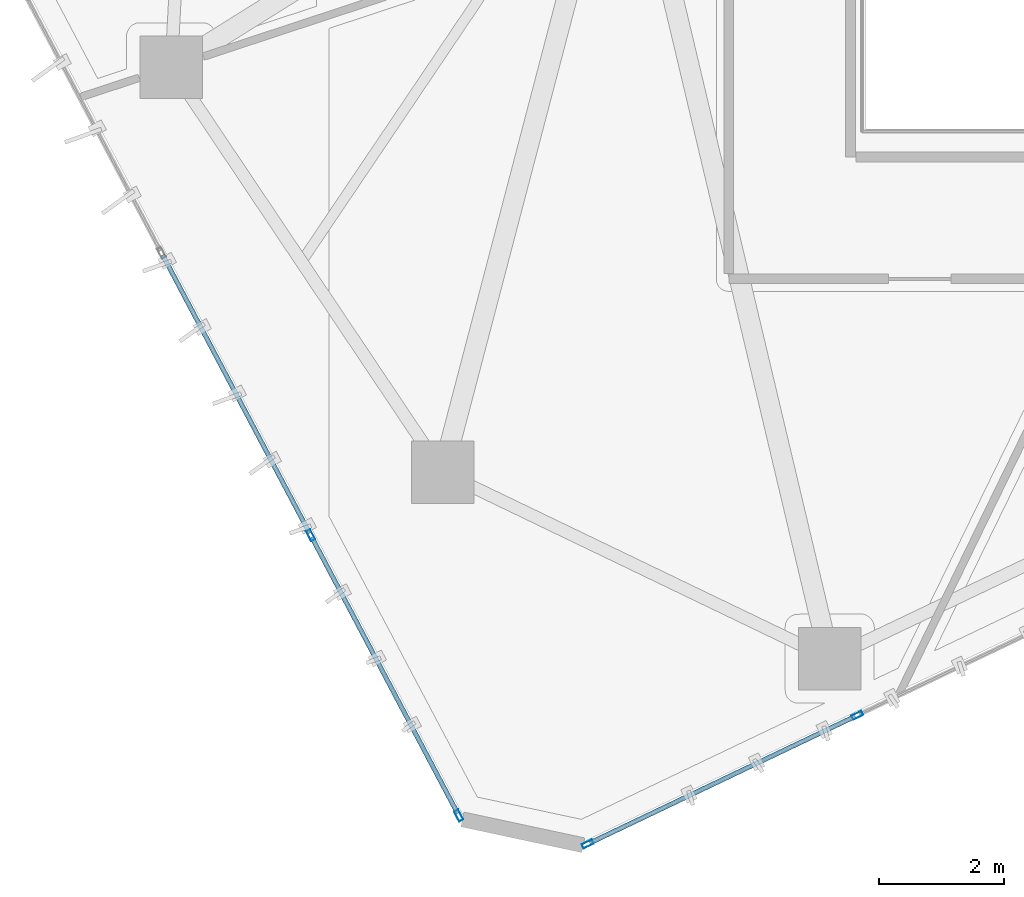
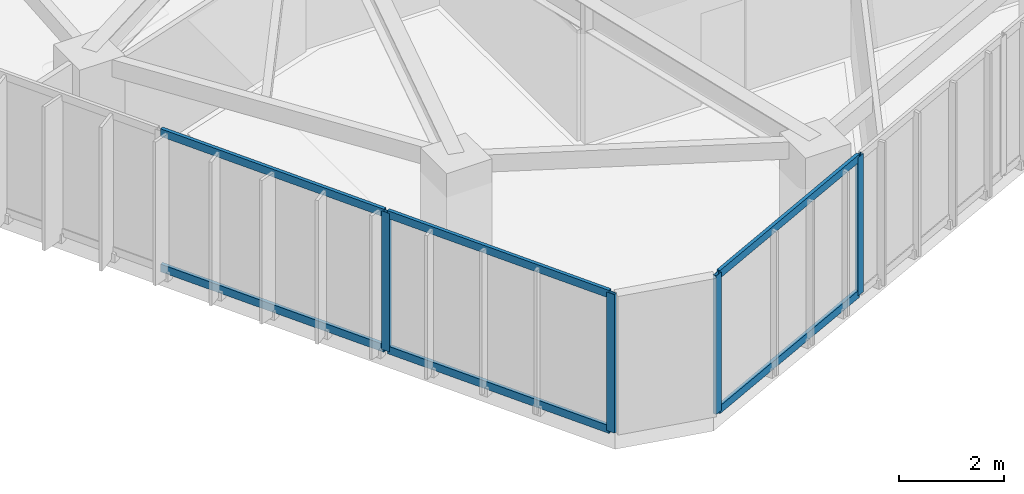
# One storey, part 2 of 18: 10 members, 2 elements without a shape of their own.
"""IFC4 building model written with IfcOpenShell, lengths in metres."""

from ifc_helpers import new_model, si_unit, direction, frame, origin, origin_2d, place, context, subcontext, project, spatial, hollow_rectangle, extrude, source, transform, mapped, material, layer, layer_set, material_profile, profile_set, type_object, type_shapes, element, aggregate, save


model = new_model("IFC4")

# Units and contexts
model_context = context("Model", 3, precision=1e-05, world=origin(), true_north=direction((0.0, 1.0)))
body_context = subcontext(model_context, "Body", "Model", "MODEL_VIEW")
ifc_project = project(units=[si_unit("LENGTHUNIT", "METRE"), si_unit("AREAUNIT", "SQUARE_METRE"), si_unit("VOLUMEUNIT", "CUBIC_METRE"), si_unit("PLANEANGLEUNIT", "RADIAN"), si_unit("MASSUNIT", "GRAM", prefix="KILO")], contexts=[model_context])

# Site, building, storey
site_placement = place(None, origin())
site = spatial("IfcSite", under=ifc_project, at=site_placement, CompositionType="ELEMENT")
building_placement = place(site_placement, origin())
building = spatial("IfcBuilding", under=site, at=building_placement, Name="Talar Marvaseh", CompositionType="ELEMENT")
storey_placement = place(building_placement, frame((0.0, 0.0, 167.0)))
storey = spatial("IfcBuildingStorey", under=building, at=storey_placement, Name="L43", CompositionType="ELEMENT", Elevation=167.0)

# Curtain wall, members
ifc_material = material(Name="Architectural Aluminium", Category="aluminium")
ifc_layer = layer(ifc_material, 0.18994140625)
ifc_layer_set = layer_set([ifc_layer], Name="Architectural Aluminium")
curtain_wall_type = type_object("IfcCurtainWallType", Name="Unitised Solar Atelier Curtain Wall Z3", PredefinedType="NOTDEFINED", material=ifc_layer_set)
curtain_wall_1_placement = place(storey_placement, origin())
curtain_wall_1 = element("IfcCurtainWall", 1, at=curtain_wall_1_placement, inside=storey, type_object=curtain_wall_type, Name="L43 Unitised Solar Atelier Curtain Wall Z3", PredefinedType="NOTDEFINED")
ifc_material_profile_1 = material_profile(ifc_material, hollow_rectangle(XDim=0.074951171875, YDim=0.179931640625, WallThickness=0.0048828125, at=origin_2d()), Name="RHS180x75x5")
ifc_profile_set_1 = profile_set([ifc_material_profile_1], Name="Architectural Aluminium")
member_type_1 = type_object("IfcMemberType", Name="Unitised Curtain Wall Standard Mullion RHS180x75x5", PredefinedType="MULLION", material=ifc_profile_set_1)
shared_shape_1 = source(origin(), body_context, "Body", "SweptSolid", [
    extrude(hollow_rectangle(XDim=0.074951171875, YDim=0.179931640625, WallThickness=0.0048828125, at=origin_2d()), origin(), (0.0, 0.0, 1.0), 3.22998046875),
])
type_shapes(member_type_1, [shared_shape_1])
member_1_placement = place(storey_placement, frame((16.07666015625, 9.008056640625, 0.0), z_axis=(0.0, 0.0, 1.0), x_axis=(-0.884204306764, -0.467100357418, 0.0)))
member_1 = element("IfcMember", 2, at=member_1_placement, type_object=member_type_1, Name="CW-Z3 mullion 1", PredefinedType="MULLION", context=body_context, shape_type="MappedRepresentation", body=[
    mapped(shared_shape_1, transform((0.0, 0.0, 0.0), x_axis=(1.0, 0.0, 0.0), y_axis=(0.0, 1.0, 0.0), z_axis=(0.0, 0.0, 1.0), scale=1.0)),
])
member_2_placement = place(storey_placement, frame((13.705810546875, 13.495849609375, 0.0), z_axis=(0.0, 0.0, 1.0), x_axis=(-0.884204306764, -0.467100357418, 0.0)))
member_2 = element("IfcMember", 3, at=member_2_placement, type_object=member_type_1, Name="CW-Z3 mullion 2", PredefinedType="MULLION", context=body_context, shape_type="MappedRepresentation", body=[
    mapped(shared_shape_1, transform((0.0, 0.0, 0.0), x_axis=(1.0, 0.0, 0.0), y_axis=(0.0, 1.0, 0.0), z_axis=(0.0, 0.0, 1.0), scale=1.0)),
])

curtain_wall_2_placement = place(storey_placement, origin())
curtain_wall_2 = element("IfcCurtainWall", 4, at=curtain_wall_2_placement, inside=storey, type_object=curtain_wall_type, Name="L43 Unitised Solar Atelier Curtain Wall Z3", PredefinedType="NOTDEFINED")
member_3_placement = place(storey_placement, frame((22.458984375, 10.611572265625, 0.0), z_axis=(0.0, 0.0, 1.0), x_axis=(0.430650890034, -0.902518593112, 0.0)))
member_3 = element("IfcMember", 5, at=member_3_placement, type_object=member_type_1, Name="CW-Z3 mullion 4", PredefinedType="MULLION", context=body_context, shape_type="MappedRepresentation", body=[
    mapped(shared_shape_1, transform((0.0, 0.0, 0.0), x_axis=(1.0, 0.0, 0.0), y_axis=(0.0, 1.0, 0.0), z_axis=(0.0, 0.0, 1.0), scale=1.0)),
])
member_4_placement = place(storey_placement, frame((18.140869140625, 8.551025390625, 0.0), z_axis=(0.0, 0.0, 1.0), x_axis=(0.430650890034, -0.902518593112, 0.0)))
member_4 = element("IfcMember", 6, at=member_4_placement, type_object=member_type_1, Name="CW-Z3 mullion 5", PredefinedType="MULLION", context=body_context, shape_type="MappedRepresentation", body=[
    mapped(shared_shape_1, transform((0.0, 0.0, 0.0), x_axis=(1.0, 0.0, 0.0), y_axis=(0.0, 1.0, 0.0), z_axis=(0.0, 0.0, 1.0), scale=1.0)),
])

# Member
ifc_material_profile_2 = material_profile(ifc_material, hollow_rectangle(XDim=0.074951171875, YDim=0.179931640625, WallThickness=0.0048828125, at=origin_2d()), Name="RHS180x75x5")
ifc_profile_set_2 = profile_set([ifc_material_profile_2], Name="Architectural Aluminium")
member_type_2 = type_object("IfcMemberType", Name="Unitised Curtain Wall Transom RHS180x75x5", PredefinedType="USERDEFINED", material=ifc_profile_set_2)
shared_shape_2 = source(origin(), body_context, "Body", "SweptSolid", [
    extrude(hollow_rectangle(XDim=0.074951171875, YDim=0.179931640625, WallThickness=0.0048828125, at=origin_2d()), origin(), (0.0, 0.0, 1.0), 5.000732421875),
])
member_5_placement = place(storey_placement, frame((16.05908203125, 9.041015625, 0.03759765625), z_axis=(-0.467079982986, 0.884215069705, 0.0), x_axis=(-0.884215069705, -0.467079982986, 0.0)))
member_5 = element("IfcMember", 7, at=member_5_placement, type_object=member_type_2, Name="CW-Z3 transom 1.1", ObjectType="TRANSOM", PredefinedType="USERDEFINED", context=body_context, shape_type="MappedRepresentation", body=[
    mapped(shared_shape_2, transform((0.0, 0.0, 0.0), x_axis=(1.0, 0.0, 0.0), y_axis=(0.0, 1.0, 0.0), z_axis=(0.0, 0.0, 1.0), scale=1.0)),
])

member_6_placement = place(storey_placement, frame((16.05908203125, 9.041015625, 3.1923828125), z_axis=(-0.467079982986, 0.884215069705, 0.0), x_axis=(-0.884215069705, -0.467079982986, 0.0)))
member_6 = element("IfcMember", 8, at=member_6_placement, type_object=member_type_2, Name="CW-Z3 transom 1.2", ObjectType="TRANSOM", PredefinedType="USERDEFINED", context=body_context, shape_type="MappedRepresentation", body=[
    mapped(shared_shape_2, transform((0.0, 0.0, 0.0), x_axis=(1.0, 0.0, 0.0), y_axis=(0.0, 1.0, 0.0), z_axis=(0.0, 0.0, 1.0), scale=1.0)),
])

shared_shape_3 = source(origin(), body_context, "Body", "SweptSolid", [
    extrude(hollow_rectangle(XDim=0.074951171875, YDim=0.179931640625, WallThickness=0.0048828125, at=origin_2d()), origin(), (0.0, 0.0, 1.0), 5.0380859375),
])
member_7_placement = place(storey_placement, frame((13.6884765625, 13.52880859375, 0.03759765625), z_axis=(-0.467086007611, 0.884211887216, 0.0), x_axis=(-0.884211887216, -0.467086007611, 0.0)))
member_7 = element("IfcMember", 9, at=member_7_placement, type_object=member_type_2, Name="CW-Z3 transom 2.1", ObjectType="TRANSOM", PredefinedType="USERDEFINED", context=body_context, shape_type="MappedRepresentation", body=[
    mapped(shared_shape_3, transform((0.0, 0.0, 0.0), x_axis=(1.0, 0.0, 0.0), y_axis=(0.0, 1.0, 0.0), z_axis=(0.0, 0.0, 1.0), scale=1.0)),
])

member_8_placement = place(storey_placement, frame((13.6884765625, 13.52880859375, 3.1923828125), z_axis=(-0.467086007611, 0.884211887216, 0.0), x_axis=(-0.884211887216, -0.467086007611, 0.0)))
member_8 = element("IfcMember", 10, at=member_8_placement, type_object=member_type_2, Name="CW-Z3 transom 2.2", ObjectType="TRANSOM", PredefinedType="USERDEFINED", context=body_context, shape_type="MappedRepresentation", body=[
    mapped(shared_shape_3, transform((0.0, 0.0, 0.0), x_axis=(1.0, 0.0, 0.0), y_axis=(0.0, 1.0, 0.0), z_axis=(0.0, 0.0, 1.0), scale=1.0)),
])

aggregate(curtain_wall_1, [member_1, member_2, member_5, member_6, member_7, member_8])

shared_shape_4 = source(origin(), body_context, "Body", "SweptSolid", [
    extrude(hollow_rectangle(XDim=0.074951171875, YDim=0.179931640625, WallThickness=0.0048828125, at=origin_2d()), origin(), (0.0, 0.0, 1.0), 4.70947265625),
])
type_shapes(member_type_2, [shared_shape_2, shared_shape_3, shared_shape_4])
member_9_placement = place(storey_placement, frame((22.425048828125, 10.595458984375, 0.03759765625), z_axis=(-0.90249798297, -0.430694080218, 0.0), x_axis=(0.430694080218, -0.90249798297, 0.0)))
member_9 = element("IfcMember", 11, at=member_9_placement, type_object=member_type_2, Name="CW-Z3 transom 4.1", ObjectType="TRANSOM", PredefinedType="USERDEFINED", context=body_context, shape_type="MappedRepresentation", body=[
    mapped(shared_shape_4, transform((0.0, 0.0, 0.0), x_axis=(1.0, 0.0, 0.0), y_axis=(0.0, 1.0, 0.0), z_axis=(0.0, 0.0, 1.0), scale=1.0)),
])

member_10_placement = place(storey_placement, frame((22.425048828125, 10.595458984375, 3.1923828125), z_axis=(-0.90249798297, -0.430694080218, 0.0), x_axis=(0.430694080218, -0.90249798297, 0.0)))
member_10 = element("IfcMember", 12, at=member_10_placement, type_object=member_type_2, Name="CW-Z3 transom 4.2", ObjectType="TRANSOM", PredefinedType="USERDEFINED", context=body_context, shape_type="MappedRepresentation", body=[
    mapped(shared_shape_4, transform((0.0, 0.0, 0.0), x_axis=(1.0, 0.0, 0.0), y_axis=(0.0, 1.0, 0.0), z_axis=(0.0, 0.0, 1.0), scale=1.0)),
])

aggregate(curtain_wall_2, [member_3, member_4, member_9, member_10])

save(model, "model.ifc")
